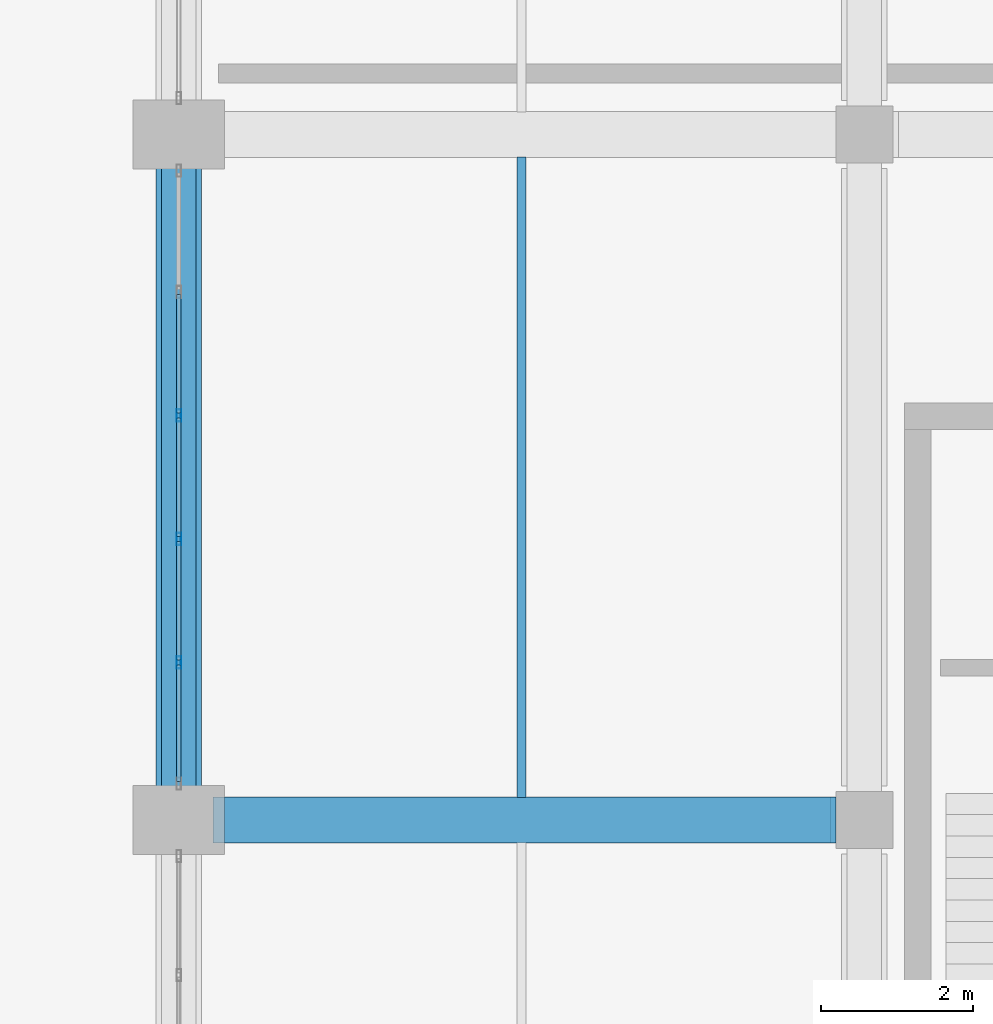
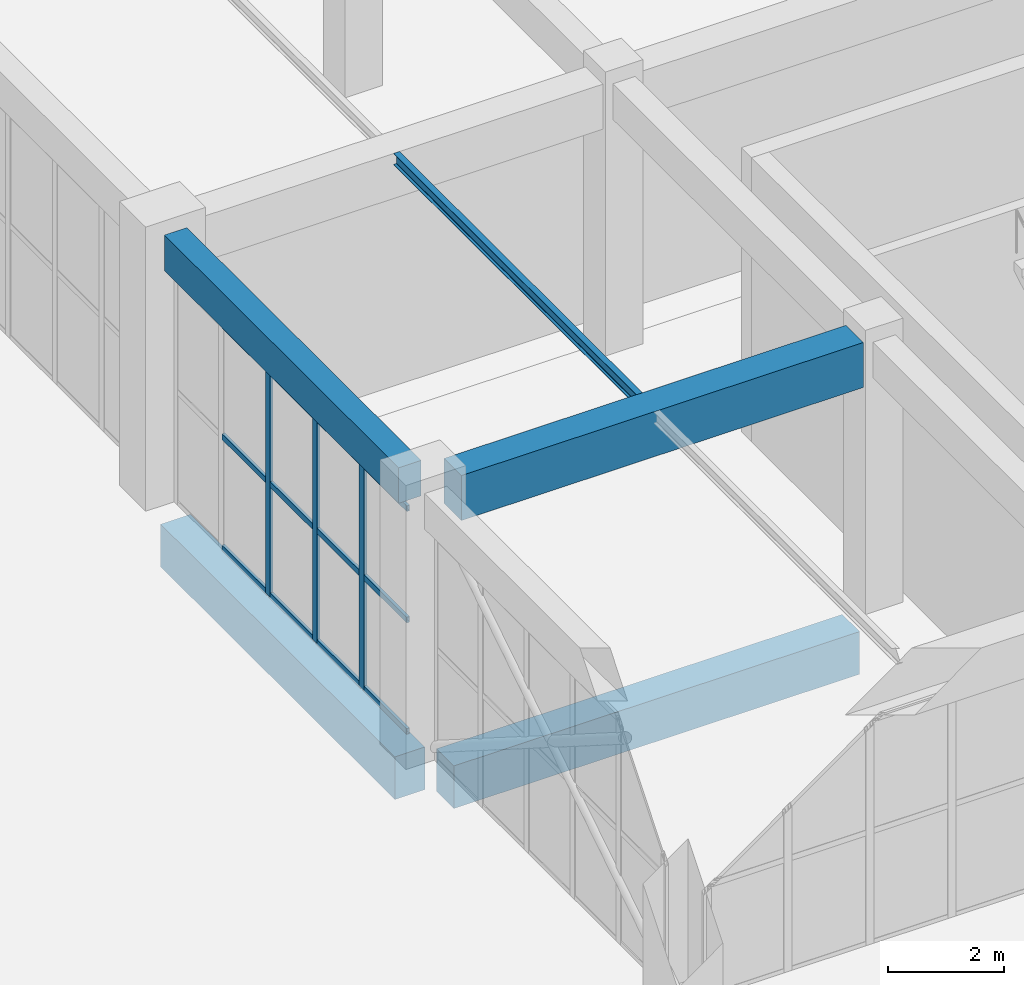
# One storey, part 31 of 91: 15 members, 5 beams, 1 element without a shape of its own.
"""IFC4 building model written with IfcOpenShell, lengths in metres."""

from ifc_helpers import new_model, si_unit, direction, frame, origin, origin_2d, place, context, subcontext, project, spatial, rectangle, hollow_rectangle, i_section, extrude, material, layer, layer_set, material_profile, profile_set, type_object, element, aggregate, save


model = new_model("IFC4")

# Units and contexts
model_context = context("Model", 3, precision=1e-05, world=origin(), true_north=direction((0.0, 1.0)))
body_context = subcontext(model_context, "Body", "Model", "MODEL_VIEW")
ifc_project = project(units=[si_unit("LENGTHUNIT", "METRE"), si_unit("AREAUNIT", "SQUARE_METRE"), si_unit("VOLUMEUNIT", "CUBIC_METRE"), si_unit("PLANEANGLEUNIT", "RADIAN"), si_unit("MASSUNIT", "GRAM", prefix="KILO")], contexts=[model_context])

# Site, building, storey
site_placement = place(None, origin())
site = spatial("IfcSite", under=ifc_project, at=site_placement, CompositionType="ELEMENT")
building_placement = place(site_placement, origin())
building = spatial("IfcBuilding", under=site, at=building_placement, Name="Dornveld Trade and Exhibition Forum", CompositionType="ELEMENT")
storey_placement = place(building_placement, origin())
storey = spatial("IfcBuildingStorey", under=building, at=storey_placement, Name="L00", CompositionType="ELEMENT", Elevation=0.0)

# Beams
ifc_material_1 = material(Name="Concrete C40/50", Category="concrete")
ifc_material_profile_1 = material_profile(ifc_material_1, rectangle(XDim=0.60009765625, YDim=0.89990234375, at=origin_2d()), Name="RC-GB 600x900")
ifc_profile_set_1 = profile_set([ifc_material_profile_1], Name="Concrete C40/50")
beam_type_1 = type_object("IfcBeamType", Name="BM-GB-600x900", PredefinedType="BEAM", material=ifc_profile_set_1)
for number, where, z_axis, x_axis, name in (
    (1, (171.0, 117.446044921875, -0.830078125), (0.0, 1.0, 0.0), (-1.0, 0.0, 0.0), "L00 Y-girder 518"),
    (2, (171.446044921875, 117.0, -0.830078125), (1.0, 0.0, 0.0), (0.0, 1.0, 0.0), "L00 X-girder 528"),
):
    element("IfcBeam", number, at=place(storey_placement, frame(where, z_axis=z_axis, x_axis=x_axis)), inside=storey, type_object=beam_type_1, Name=name, PredefinedType="BEAM", context=body_context, shape_type="SweptSolid", body=[
        extrude(rectangle(XDim=0.60009765625, YDim=0.89990234375, at=origin_2d()), origin(), (0.0, 0.0, 1.0), 8.10791015625),
    ])
ifc_material_2 = material(Name="Steel S355J2", Category="steel")
ifc_material_profile_2 = material_profile(ifc_material_2, i_section(OverallWidth=0.1201171875, OverallDepth=0.239990234375, WebThickness=0.006103515625, FlangeThickness=0.009765625, FilletRadius=0.014892578125, at=origin_2d()), Name="IPE 240")
ifc_profile_set_2 = profile_set([ifc_material_profile_2], Name="Steel S355J2")
beam_type_2 = type_object("IfcBeamType", Name="BM-JOIST-240", PredefinedType="JOIST", material=ifc_profile_set_2)
beam_1_placement = place(storey_placement, frame((175.5, 117.297119140625, 5.580078125), z_axis=(0.0, 1.0, 0.0), x_axis=(-1.0, 0.0, 0.0)))
element("IfcBeam", 3, at=beam_1_placement, inside=storey, type_object=beam_type_2, Name="L00 secondary joist 1004", PredefinedType="JOIST", context=body_context, shape_type="SweptSolid", body=[
    extrude(i_section(OverallWidth=0.1201171875, OverallDepth=0.239990234375, WebThickness=0.006103515625, FlangeThickness=0.009765625, FilletRadius=0.014892578125, at=origin_2d()), origin(), (0.0, 0.0, 1.0), 8.40576171875),
])
ifc_material_3 = material(Name="Precast concrete C50/60", Category="concrete")
ifc_material_profile_3 = material_profile(ifc_material_3, rectangle(XDim=0.449951171875, YDim=0.75, at=origin_2d()), Name="PC-BM 450x750")
ifc_profile_set_3 = profile_set([ifc_material_profile_3], Name="Precast concrete C50/60")
beam_type_3 = type_object("IfcBeamType", Name="BM-PC-450x750", PredefinedType="BEAM", material=ifc_profile_set_3)
beam_2_placement = place(storey_placement, frame((171.0, 117.446044921875, 5.324951171875), z_axis=(0.0, 1.0, 0.0), x_axis=(-1.0, 0.0, 0.0)))
element("IfcBeam", 4, at=beam_2_placement, inside=storey, type_object=beam_type_3, Name="L00 Y-girder 980", PredefinedType="BEAM", context=body_context, shape_type="SweptSolid", body=[
    extrude(rectangle(XDim=0.449951171875, YDim=0.75, at=origin_2d()), origin(), (0.0, 0.0, 1.0), 8.10791015625),
])
ifc_material_4 = material(Name="Precast concrete C50/60", Category="concrete")
ifc_material_profile_4 = material_profile(ifc_material_4, rectangle(XDim=0.60009765625, YDim=0.949951171875, at=origin_2d()), Name="PC-GIR 600x950")
ifc_profile_set_4 = profile_set([ifc_material_profile_4], Name="Precast concrete C50/60")
beam_type_4 = type_object("IfcBeamType", Name="BM-PC-600x950", PredefinedType="T_BEAM", material=ifc_profile_set_4)
beam_3_placement = place(storey_placement, frame((171.595947265625, 117.0, 5.22509765625), z_axis=(1.0, 0.0, 0.0), x_axis=(0.0, 1.0, 0.0)))
element("IfcBeam", 5, at=beam_3_placement, inside=storey, type_object=beam_type_4, Name="L00 X-girder 960", PredefinedType="T_BEAM", context=body_context, shape_type="SweptSolid", body=[
    extrude(rectangle(XDim=0.60009765625, YDim=0.949951171875, at=origin_2d()), origin(), (0.0, 0.0, 1.0), 8.032958984375),
])

# Curtain wall, members
ifc_material_5 = material(Name="Dark-bronze anodised aluminium and low-E glass", Category="aluminium")
ifc_layer = layer(ifc_material_5, 0.14794921875)
ifc_layer_set = layer_set([ifc_layer], Name="Dark-bronze anodised aluminium and low-E glass")
curtain_wall_type = type_object("IfcCurtainWallType", Name="CW-SYS-02", PredefinedType="USERDEFINED", material=ifc_layer_set)
curtain_wall_placement = place(storey_placement, origin())
curtain_wall = element("IfcCurtainWall", 6, at=curtain_wall_placement, inside=storey, type_object=curtain_wall_type, Name="L00 unitised curtain wall 2", ObjectType="UNITISED_CURTAIN_WALL", PredefinedType="USERDEFINED")
ifc_material_6 = material(Name="Dark-bronze anodised aluminium", Category="aluminium")
ifc_material_profile_5 = material_profile(ifc_material_6, hollow_rectangle(XDim=0.06005859375, YDim=0.159912109375, WallThickness=0.00390625, at=origin_2d()), Name="RHS 160x60x4")
ifc_profile_set_5 = profile_set([ifc_material_profile_5], Name="Dark-bronze anodised aluminium")
member_type_1 = type_object("IfcMemberType", Name="CW-MUL-160", PredefinedType="MULLION", material=ifc_profile_set_5)
member_1_placement = place(storey_placement, frame((171.0, 119.067626953125, -0.00390625), z_axis=(0.0, 0.0, 1.0), x_axis=(-1.0, 0.0, 0.0)))
member_1 = element("IfcMember", 7, at=member_1_placement, type_object=member_type_1, Name="CW-02 mullion 2", PredefinedType="MULLION", context=body_context, shape_type="SweptSolid", body=[
    extrude(hollow_rectangle(XDim=0.06005859375, YDim=0.159912109375, WallThickness=0.00390625, at=origin_2d()), origin(), (0.0, 0.0, 1.0), 4.763916015625),
])
member_2_placement = place(storey_placement, frame((171.0, 120.689208984375, -0.00390625), z_axis=(0.0, 0.0, 1.0), x_axis=(-1.0, 0.0, 0.0)))
member_2 = element("IfcMember", 8, at=member_2_placement, type_object=member_type_1, Name="CW-02 mullion 3", PredefinedType="MULLION", context=body_context, shape_type="SweptSolid", body=[
    extrude(hollow_rectangle(XDim=0.06005859375, YDim=0.159912109375, WallThickness=0.00390625, at=origin_2d()), origin(), (0.0, 0.0, 1.0), 4.763916015625),
])
member_3_placement = place(storey_placement, frame((171.0, 122.310791015625, -0.00390625), z_axis=(0.0, 0.0, 1.0), x_axis=(-1.0, 0.0, 0.0)))
member_3 = element("IfcMember", 9, at=member_3_placement, type_object=member_type_1, Name="CW-02 mullion 4", PredefinedType="MULLION", context=body_context, shape_type="SweptSolid", body=[
    extrude(hollow_rectangle(XDim=0.06005859375, YDim=0.159912109375, WallThickness=0.00390625, at=origin_2d()), origin(), (0.0, 0.0, 1.0), 4.763916015625),
])
ifc_material_7 = material(Name="Dark-bronze anodised aluminium", Category="aluminium")
ifc_material_profile_6 = material_profile(ifc_material_7, hollow_rectangle(XDim=0.06005859375, YDim=0.1201171875, WallThickness=0.00390625, at=origin_2d()), Name="RHS 120x60x4")
ifc_profile_set_6 = profile_set([ifc_material_profile_6], Name="Dark-bronze anodised aluminium")
member_type_2 = type_object("IfcMemberType", Name="CW-TRN-120", PredefinedType="USERDEFINED", material=ifc_profile_set_6)
member_4_placement = place(storey_placement, frame((171.0, 117.506103515625, 0.02587890625), z_axis=(0.0, 1.0, 0.0), x_axis=(-1.0, 0.0, 0.0)))
member_4 = element("IfcMember", 10, at=member_4_placement, type_object=member_type_2, Name="CW-02 transom 1.1", ObjectType="TRANSOM", PredefinedType="USERDEFINED", context=body_context, shape_type="SweptSolid", body=[
    extrude(hollow_rectangle(XDim=0.06005859375, YDim=0.1201171875, WallThickness=0.00390625, at=origin_2d()), origin(), (0.0, 0.0, 1.0), 1.531494140625),
])
member_5_placement = place(storey_placement, frame((171.0, 117.506103515625, 2.3779296875), z_axis=(0.0, 1.0, 0.0), x_axis=(-1.0, 0.0, 0.0)))
member_5 = element("IfcMember", 11, at=member_5_placement, type_object=member_type_2, Name="CW-02 transom 1.2", ObjectType="TRANSOM", PredefinedType="USERDEFINED", context=body_context, shape_type="SweptSolid", body=[
    extrude(hollow_rectangle(XDim=0.06005859375, YDim=0.1201171875, WallThickness=0.00390625, at=origin_2d()), origin(), (0.0, 0.0, 1.0), 1.531494140625),
])
member_6_placement = place(storey_placement, frame((171.0, 117.506103515625, 4.72998046875), z_axis=(0.0, 1.0, 0.0), x_axis=(-1.0, 0.0, 0.0)))
member_6 = element("IfcMember", 12, at=member_6_placement, type_object=member_type_2, Name="CW-02 transom 1.3", ObjectType="TRANSOM", PredefinedType="USERDEFINED", context=body_context, shape_type="SweptSolid", body=[
    extrude(hollow_rectangle(XDim=0.06005859375, YDim=0.1201171875, WallThickness=0.00390625, at=origin_2d()), origin(), (0.0, 0.0, 1.0), 1.531494140625),
])
member_7_placement = place(storey_placement, frame((171.0, 119.09765625, 0.02587890625), z_axis=(0.0, 1.0, 0.0), x_axis=(-1.0, 0.0, 0.0)))
member_7 = element("IfcMember", 13, at=member_7_placement, type_object=member_type_2, Name="CW-02 transom 2.1", ObjectType="TRANSOM", PredefinedType="USERDEFINED", context=body_context, shape_type="SweptSolid", body=[
    extrude(hollow_rectangle(XDim=0.06005859375, YDim=0.1201171875, WallThickness=0.00390625, at=origin_2d()), origin(), (0.0, 0.0, 1.0), 1.5615234375),
])
member_8_placement = place(storey_placement, frame((171.0, 119.09765625, 2.3779296875), z_axis=(0.0, 1.0, 0.0), x_axis=(-1.0, 0.0, 0.0)))
member_8 = element("IfcMember", 14, at=member_8_placement, type_object=member_type_2, Name="CW-02 transom 2.2", ObjectType="TRANSOM", PredefinedType="USERDEFINED", context=body_context, shape_type="SweptSolid", body=[
    extrude(hollow_rectangle(XDim=0.06005859375, YDim=0.1201171875, WallThickness=0.00390625, at=origin_2d()), origin(), (0.0, 0.0, 1.0), 1.5615234375),
])
member_9_placement = place(storey_placement, frame((171.0, 119.09765625, 4.72998046875), z_axis=(0.0, 1.0, 0.0), x_axis=(-1.0, 0.0, 0.0)))
member_9 = element("IfcMember", 15, at=member_9_placement, type_object=member_type_2, Name="CW-02 transom 2.3", ObjectType="TRANSOM", PredefinedType="USERDEFINED", context=body_context, shape_type="SweptSolid", body=[
    extrude(hollow_rectangle(XDim=0.06005859375, YDim=0.1201171875, WallThickness=0.00390625, at=origin_2d()), origin(), (0.0, 0.0, 1.0), 1.5615234375),
])
member_10_placement = place(storey_placement, frame((171.0, 120.71923828125, 0.02587890625), z_axis=(0.0, 1.0, 0.0), x_axis=(-1.0, 0.0, 0.0)))
member_10 = element("IfcMember", 16, at=member_10_placement, type_object=member_type_2, Name="CW-02 transom 3.1", ObjectType="TRANSOM", PredefinedType="USERDEFINED", context=body_context, shape_type="SweptSolid", body=[
    extrude(hollow_rectangle(XDim=0.06005859375, YDim=0.1201171875, WallThickness=0.00390625, at=origin_2d()), origin(), (0.0, 0.0, 1.0), 1.5615234375),
])
member_11_placement = place(storey_placement, frame((171.0, 120.71923828125, 2.3779296875), z_axis=(0.0, 1.0, 0.0), x_axis=(-1.0, 0.0, 0.0)))
member_11 = element("IfcMember", 17, at=member_11_placement, type_object=member_type_2, Name="CW-02 transom 3.2", ObjectType="TRANSOM", PredefinedType="USERDEFINED", context=body_context, shape_type="SweptSolid", body=[
    extrude(hollow_rectangle(XDim=0.06005859375, YDim=0.1201171875, WallThickness=0.00390625, at=origin_2d()), origin(), (0.0, 0.0, 1.0), 1.5615234375),
])
member_12_placement = place(storey_placement, frame((171.0, 120.71923828125, 4.72998046875), z_axis=(0.0, 1.0, 0.0), x_axis=(-1.0, 0.0, 0.0)))
member_12 = element("IfcMember", 18, at=member_12_placement, type_object=member_type_2, Name="CW-02 transom 3.3", ObjectType="TRANSOM", PredefinedType="USERDEFINED", context=body_context, shape_type="SweptSolid", body=[
    extrude(hollow_rectangle(XDim=0.06005859375, YDim=0.1201171875, WallThickness=0.00390625, at=origin_2d()), origin(), (0.0, 0.0, 1.0), 1.5615234375),
])
member_13_placement = place(storey_placement, frame((171.0, 122.3408203125, 0.02587890625), z_axis=(0.0, 1.0, 0.0), x_axis=(-1.0, 0.0, 0.0)))
member_13 = element("IfcMember", 19, at=member_13_placement, type_object=member_type_2, Name="CW-02 transom 4.1", ObjectType="TRANSOM", PredefinedType="USERDEFINED", context=body_context, shape_type="SweptSolid", body=[
    extrude(hollow_rectangle(XDim=0.06005859375, YDim=0.1201171875, WallThickness=0.00390625, at=origin_2d()), origin(), (0.0, 0.0, 1.0), 1.5615234375),
])
member_14_placement = place(storey_placement, frame((171.0, 122.3408203125, 2.3779296875), z_axis=(0.0, 1.0, 0.0), x_axis=(-1.0, 0.0, 0.0)))
member_14 = element("IfcMember", 20, at=member_14_placement, type_object=member_type_2, Name="CW-02 transom 4.2", ObjectType="TRANSOM", PredefinedType="USERDEFINED", context=body_context, shape_type="SweptSolid", body=[
    extrude(hollow_rectangle(XDim=0.06005859375, YDim=0.1201171875, WallThickness=0.00390625, at=origin_2d()), origin(), (0.0, 0.0, 1.0), 1.5615234375),
])
member_15_placement = place(storey_placement, frame((171.0, 122.3408203125, 4.72998046875), z_axis=(0.0, 1.0, 0.0), x_axis=(-1.0, 0.0, 0.0)))
member_15 = element("IfcMember", 21, at=member_15_placement, type_object=member_type_2, Name="CW-02 transom 4.3", ObjectType="TRANSOM", PredefinedType="USERDEFINED", context=body_context, shape_type="SweptSolid", body=[
    extrude(hollow_rectangle(XDim=0.06005859375, YDim=0.1201171875, WallThickness=0.00390625, at=origin_2d()), origin(), (0.0, 0.0, 1.0), 1.5615234375),
])
aggregate(curtain_wall, [member_1, member_2, member_3, member_4, member_5, member_6, member_7, member_8, member_9, member_10, member_11, member_12, member_13, member_14, member_15])

save(model, "model.ifc")
